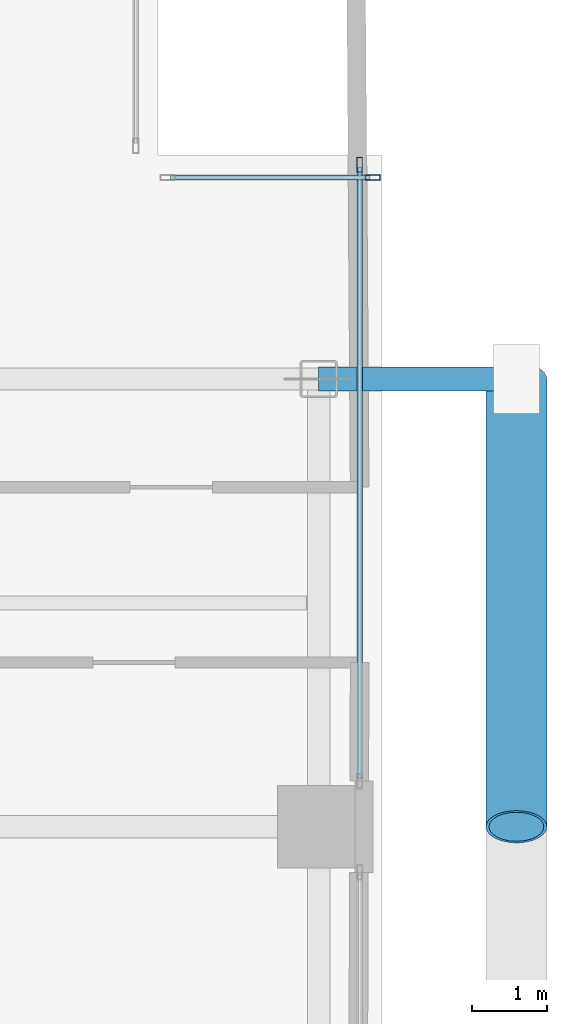
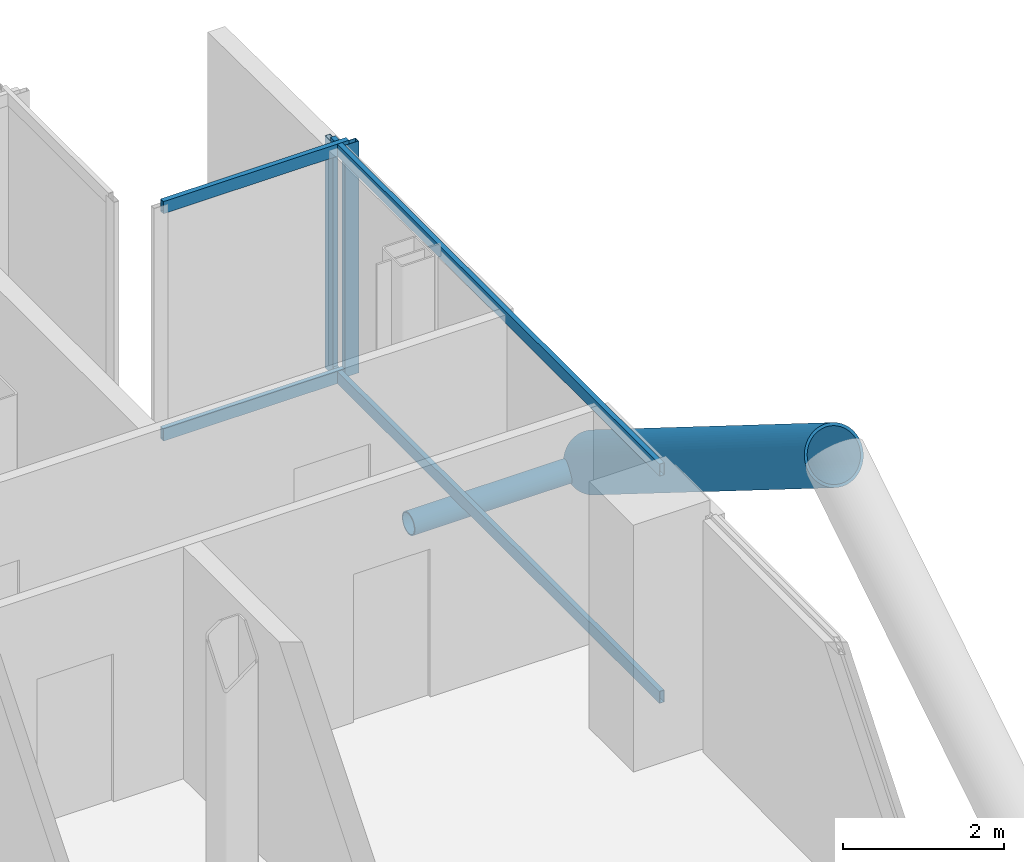
# One storey, part 13 of 24: 8 members, 2 elements without a shape of their own.
"""IFC4 building model written with IfcOpenShell, lengths in metres."""

from ifc_helpers import new_model, si_unit, direction, frame, origin, origin_2d, place, context, subcontext, project, spatial, hollow_rectangle, hollow_circle, extrude, material, layer, layer_set, material_profile, profile_set, type_object, element, aggregate, save


model = new_model("IFC4")

# Units and contexts
model_context = context("Model", 3, precision=1e-05, world=origin(), true_north=direction((0.0, 1.0)))
body_context = subcontext(model_context, "Body", "Model", "MODEL_VIEW")
ifc_project = project(units=[si_unit("LENGTHUNIT", "METRE"), si_unit("AREAUNIT", "SQUARE_METRE"), si_unit("VOLUMEUNIT", "CUBIC_METRE"), si_unit("PLANEANGLEUNIT", "RADIAN"), si_unit("MASSUNIT", "GRAM", prefix="KILO"), si_unit("THERMODYNAMICTEMPERATUREUNIT", "KELVIN"), si_unit("POWERUNIT", "WATT")], contexts=[model_context])

# Site, building, storey
site_placement = place(None, origin())
site = spatial("IfcSite", under=ifc_project, at=site_placement, CompositionType="ELEMENT")
building_placement = place(site_placement, origin())
building = spatial("IfcBuilding", under=site, at=building_placement, Name="Svarakhadi Broadcast Tower", CompositionType="ELEMENT")
storey_placement = place(building_placement, frame((0.0, 0.0, 126.89990234375)))
storey = spatial("IfcBuildingStorey", under=building, at=storey_placement, Name="L30", CompositionType="ELEMENT", Elevation=126.89990234375)

# Curtain wall, member
ifc_material_1 = material(Name="Anodised Bronze Aluminium AA 6063-T6", Category="aluminium")
ifc_layer = layer(ifc_material_1, 0.199951171875)
ifc_layer_set = layer_set([ifc_layer], Name="Anodised Bronze Aluminium AA 6063-T6")
curtain_wall_type = type_object("IfcCurtainWallType", Name="CW_Sys_03", PredefinedType="NOTDEFINED", material=ifc_layer_set)
curtain_wall_1_placement = place(storey_placement, origin())
curtain_wall_1 = element("IfcCurtainWall", 1, at=curtain_wall_1_placement, inside=storey, type_object=curtain_wall_type, Name="L30 Unitised Facade Curtain Wall 12", PredefinedType="NOTDEFINED")
ifc_material_profile_1 = material_profile(ifc_material_1, hollow_rectangle(XDim=0.074951171875, YDim=0.199951171875, WallThickness=0.005615234375, at=origin_2d()), Name="ALU MULLION 200x75x6")
ifc_profile_set_1 = profile_set([ifc_material_profile_1], Name="Anodised Bronze Aluminium AA 6063-T6")
member_type_1 = type_object("IfcMemberType", Name="CW_Sys_03_Mul", PredefinedType="MULLION", material=ifc_profile_set_1)
member_1_placement = place(storey_placement, frame((47.87255859375, 20.699951171875, 0.0), z_axis=(0.0, 0.0, 1.0), x_axis=(0.0, 1.0, 0.0)))
member_1 = element("IfcMember", 2, at=member_1_placement, type_object=member_type_1, Name="CW-03 mullion 2", PredefinedType="MULLION", context=body_context, shape_type="SweptSolid", body=[
    extrude(hollow_rectangle(XDim=0.074951171875, YDim=0.199951171875, WallThickness=0.005615234375, at=origin_2d()), origin(), (0.0, 0.0, 1.0), 3.525146484375),
])

curtain_wall_2_placement = place(storey_placement, origin())
curtain_wall_2 = element("IfcCurtainWall", 3, at=curtain_wall_2_placement, inside=storey, type_object=curtain_wall_type, Name="L30 Unitised Facade Curtain Wall 13 Bay 1", PredefinedType="NOTDEFINED")
member_2_placement = place(storey_placement, frame((47.699951171875, 20.87255859375, 0.0), z_axis=(0.0, 0.0, 1.0), x_axis=(1.0, 0.0, 0.0)))
member_2 = element("IfcMember", 4, at=member_2_placement, type_object=member_type_1, Name="CW-03 mullion 1", PredefinedType="MULLION", context=body_context, shape_type="SweptSolid", body=[
    extrude(hollow_rectangle(XDim=0.074951171875, YDim=0.199951171875, WallThickness=0.005615234375, at=origin_2d()), origin(), (0.0, 0.0, 1.0), 3.525146484375),
])

# Member
ifc_material_profile_2 = material_profile(ifc_material_1, hollow_rectangle(XDim=0.070068359375, YDim=0.18505859375, WallThickness=0.0048828125, at=origin_2d()), Name="ALU TRANSOM 185x70x5")
ifc_profile_set_2 = profile_set([ifc_material_profile_2], Name="Anodised Bronze Aluminium AA 6063-T6")
member_type_2 = type_object("IfcMemberType", Name="CW_Sys_03_Trn", PredefinedType="USERDEFINED", material=ifc_profile_set_2)
member_3_placement = place(storey_placement, frame((45.1650390625, 20.699951171875, 0.03515625), z_axis=(1.0, 0.0, 0.0), x_axis=(0.0, 1.0, 0.0)))
member_3 = element("IfcMember", 5, at=member_3_placement, type_object=member_type_2, Name="CW-03 transom 1.1", ObjectType="TRANSOM", PredefinedType="USERDEFINED", context=body_context, shape_type="SweptSolid", body=[
    extrude(hollow_rectangle(XDim=0.070068359375, YDim=0.18505859375, WallThickness=0.0048828125, at=origin_2d()), origin(), (0.0, 0.0, 1.0), 2.669921875),
])

member_4_placement = place(storey_placement, frame((45.1650390625, 20.699951171875, 3.489990234375), z_axis=(1.0, 0.0, 0.0), x_axis=(0.0, 1.0, 0.0)))
member_4 = element("IfcMember", 6, at=member_4_placement, type_object=member_type_2, Name="CW-03 transom 1.2", ObjectType="TRANSOM", PredefinedType="USERDEFINED", context=body_context, shape_type="SweptSolid", body=[
    extrude(hollow_rectangle(XDim=0.070068359375, YDim=0.18505859375, WallThickness=0.0048828125, at=origin_2d()), origin(), (0.0, 0.0, 1.0), 2.669921875),
])

aggregate(curtain_wall_1, [member_1, member_3, member_4])

member_5_placement = place(storey_placement, frame((47.699951171875, 20.8349609375, 0.03515625), z_axis=(0.0, -1.0, 0.0), x_axis=(1.0, 0.0, 0.0)))
member_5 = element("IfcMember", 7, at=member_5_placement, type_object=member_type_2, Name="CW-03 transom 1.1", ObjectType="TRANSOM", PredefinedType="USERDEFINED", context=body_context, shape_type="SweptSolid", body=[
    extrude(hollow_rectangle(XDim=0.070068359375, YDim=0.18505859375, WallThickness=0.0048828125, at=origin_2d()), origin(), (0.0, 0.0, 1.0), 8.18994140625),
])

member_6_placement = place(storey_placement, frame((47.699951171875, 20.8349609375, 3.489990234375), z_axis=(0.0, -1.0, 0.0), x_axis=(1.0, 0.0, 0.0)))
member_6 = element("IfcMember", 8, at=member_6_placement, type_object=member_type_2, Name="CW-03 transom 1.2", ObjectType="TRANSOM", PredefinedType="USERDEFINED", context=body_context, shape_type="SweptSolid", body=[
    extrude(hollow_rectangle(XDim=0.070068359375, YDim=0.18505859375, WallThickness=0.0048828125, at=origin_2d()), origin(), (0.0, 0.0, 1.0), 8.18994140625),
])

aggregate(curtain_wall_2, [member_2, member_5, member_6])

# Members
ifc_material_2 = material(Name="Steel S460ML (IS 2062 E450BR)", Category="steel")
ifc_material_profile_3 = material_profile(ifc_material_2, hollow_circle(Radius=0.406494140625, WallThickness=0.0400390625, at=origin_2d()), Name="CHS 813x40")
ifc_profile_set_3 = profile_set([ifc_material_profile_3], Name="Steel S460ML (IS 2062 E450BR)")
member_type_3 = type_object("IfcMemberType", Name="Exo_Brace_CHS813", PredefinedType="BRACE", material=ifc_profile_set_3)
member_7_placement = place(storey_placement, frame((49.800048828125, 18.0, -0.386962890625), z_axis=(0.0, -0.847998304005, 0.529998940003), x_axis=(1.0, 0.0, 0.0)))
element("IfcMember", 9, at=member_7_placement, inside=storey, type_object=member_type_3, Name="L30 Exposed Bronze Exoskeleton Diagonal E07", PredefinedType="BRACE", context=body_context, shape_type="SweptSolid", body=[
    extrude(hollow_circle(Radius=0.406494140625, WallThickness=0.0400390625, at=origin_2d()), origin(), (0.0, 0.0, 1.0), 7.075439453125),
])
ifc_material_profile_4 = material_profile(ifc_material_2, hollow_circle(Radius=0.161865234375, WallThickness=0.01611328125, at=origin_2d()), Name="CHS 323.9x16")
ifc_profile_set_4 = profile_set([ifc_material_profile_4], Name="Steel S460ML (IS 2062 E450BR)")
member_type_4 = type_object("IfcMemberType", Name="Exo_Radial_Strut_Z2", PredefinedType="STRUT", material=ifc_profile_set_4)
member_8_placement = place(storey_placement, frame((49.800048828125, 18.0, -0.386962890625), z_axis=(-1.0, 0.0, 0.0), x_axis=(0.0, -1.0, 0.0)))
element("IfcMember", 10, at=member_8_placement, inside=storey, type_object=member_type_4, Name="L30 Exoskeleton Radial Tie Strut E09", PredefinedType="STRUT", context=body_context, shape_type="SweptSolid", body=[
    extrude(hollow_circle(Radius=0.161865234375, WallThickness=0.01611328125, at=origin_2d()), origin(), (0.0, 0.0, 1.0), 2.650146484375),
])

save(model, "model.ifc")
